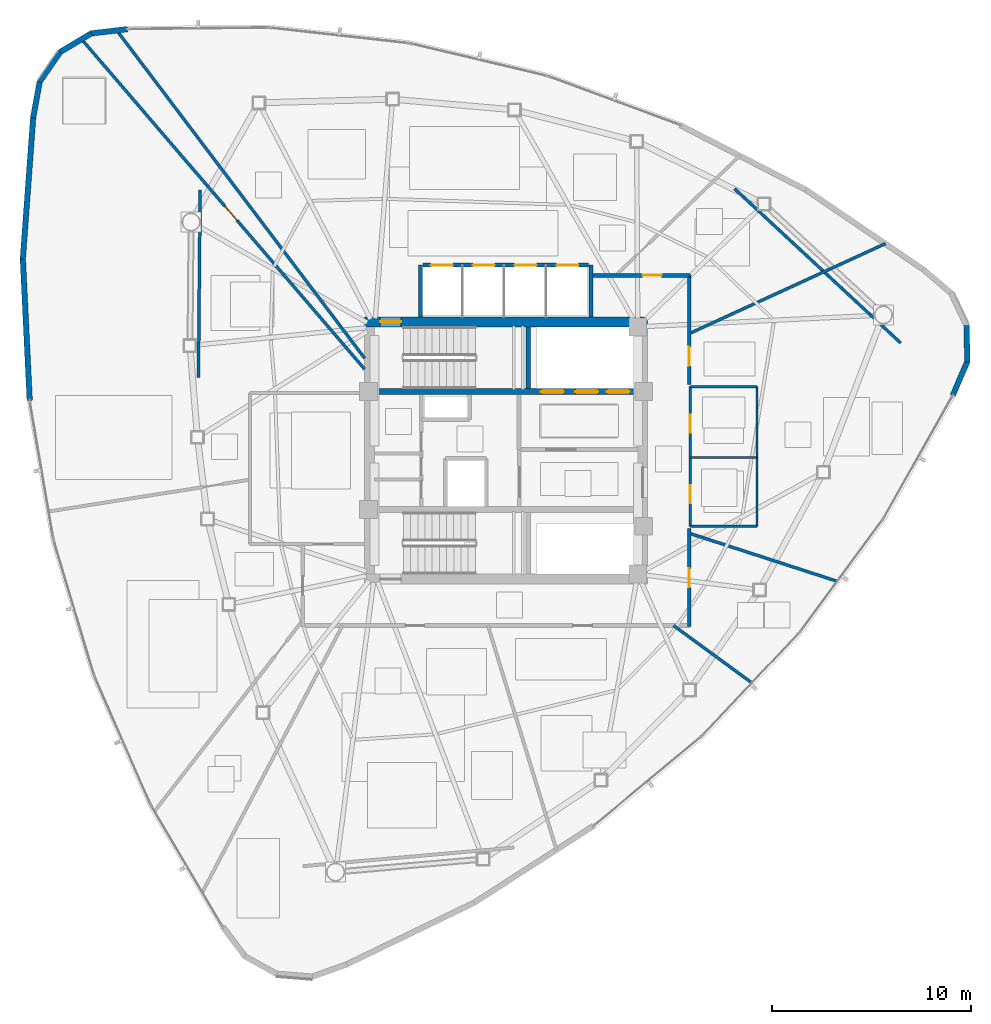
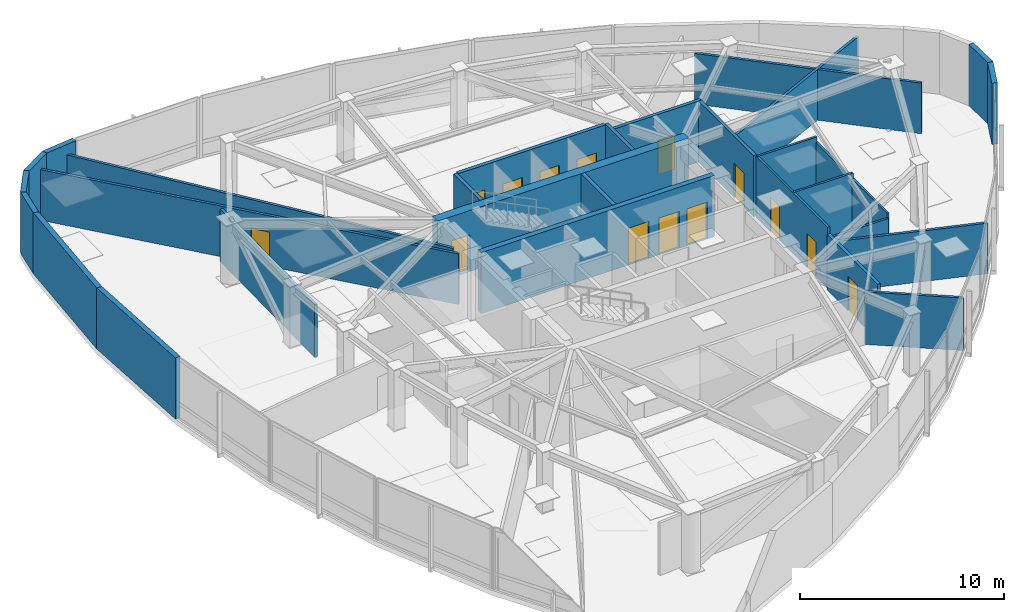
# One storey, part 11 of 15: 29 walls, 14 doors, 14 openings.
"""IFC4 building model written with IfcOpenShell, lengths in metres."""

from ifc_helpers import new_model, si_unit, direction, frame, frame_2d, origin, place, context, subcontext, project, spatial, rectangle, extrude, material, layer, layer_set, type_object, element, fill, save


model = new_model("IFC4")

# Units and contexts
model_context = context("Model", 3, precision=1e-05, world=origin(), true_north=direction((0.0, 1.0)))
body_context = subcontext(model_context, "Body", "Model", "MODEL_VIEW")
ifc_project = project(units=[si_unit("LENGTHUNIT", "METRE"), si_unit("AREAUNIT", "SQUARE_METRE"), si_unit("VOLUMEUNIT", "CUBIC_METRE"), si_unit("PLANEANGLEUNIT", "RADIAN"), si_unit("MASSUNIT", "GRAM", prefix="KILO")], contexts=[model_context])

# Site, building, storey
site_placement = place(None, origin())
site = spatial("IfcSite", under=ifc_project, at=site_placement, CompositionType="ELEMENT")
building_placement = place(site_placement, origin())
building = spatial("IfcBuilding", under=site, at=building_placement, Name="Tavelor Broadcast Tower", CompositionType="ELEMENT")
storey_placement = place(building_placement, frame((0.0, 0.0, 222.14990234375)))
storey = spatial("IfcBuildingStorey", under=building, at=storey_placement, Name="L52", CompositionType="ELEMENT", Elevation=222.14990234375)

# Wall, opening, door
ifc_material_1 = material(Name="Concrete C50/60", Category="concrete")
ifc_layer_1 = layer(ifc_material_1, 0.5)
ifc_layer_set_1 = layer_set([ifc_layer_1], Name="Concrete C50/60")
wall_type_1 = type_object("IfcWallType", Name="Core Shear Wall 500 mm", PredefinedType="SHEAR", material=ifc_layer_set_1)
wall_1_placement = place(storey_placement, frame((42.89990234375, 51.449951171875, 0.0), z_axis=(0.0, 0.0, 1.0), x_axis=(1.0, 0.0, 0.0)))
wall_1 = element("IfcWall", 1, at=wall_1_placement, inside=storey, type_object=wall_type_1, Name="L52 Central Core Shear Wall N", PredefinedType="SHEAR", context=body_context, shape_type="SweptSolid", body=[
    extrude(rectangle(XDim=14.2001953125, YDim=0.5, at=frame_2d((7.10009765625, 0.0))), origin(), (0.0, 0.0, 1.0), 3.650146484375),
])
opening_1_placement = place(wall_1_placement, frame((0.780029296875, 0.0, 0.0)))
opening_1 = element("IfcOpeningElement", 2, at=opening_1_placement, cuts=wall_1, Name="Opening DR11", PredefinedType="OPENING", context=body_context, shape_type="SweptSolid", body=[
    extrude(rectangle(XDim=1.050048828125, YDim=2.199951171875, at=frame_2d((0.52490234375, 1.10009765625))), frame((0.0, 0.260009765625, 0.0), z_axis=(0.0, -1.0, 0.0), x_axis=(1.0, 0.0, 0.0)), (0.0, 0.0, 1.0), 0.52001953125),
])
ifc_material_2 = material(Name="Steel S355", Category="steel")
door_type_1 = type_object("IfcDoorType", Name="Stair Core Fire Escape Door 1050x2200", OperationType="NOTDEFINED", PredefinedType="DOOR", material=ifc_material_2)
door_1_placement = place(opening_1_placement, origin())
door_1 = element("IfcDoor", 3, at=door_1_placement, inside=storey, type_object=door_type_1, Name="L52 Stair ST1 Protected Exit Door", OperationType="SINGLE_SWING_LEFT", OverallHeight=2.199951171875, OverallWidth=1.050048828125, PredefinedType="DOOR", context=body_context, shape_type="SweptSolid", body=[
    extrude(rectangle(XDim=1.050048828125, YDim=2.199951171875, at=frame_2d((0.52490234375, 1.10009765625))), frame((0.0, 0.02490234375, 0.0), z_axis=(0.0, -1.0, 0.0), x_axis=(1.0, 0.0, 0.0)), (0.0, 0.0, 1.0), 0.050048828125),
])
fill(opening_1, door_1)

# Wall, openings, doors
ifc_layer_2 = layer(ifc_material_1, 0.300048828125)
ifc_layer_set_2 = layer_set([ifc_layer_2], Name="Concrete C50/60")
wall_type_2 = type_object("IfcWallType", Name="Core Spine Shear Wall 300 mm C50", PredefinedType="SHEAR", material=ifc_layer_set_2)
wall_2_placement = place(storey_placement, frame((43.39990234375, 47.949951171875, 0.0), z_axis=(0.0, 0.0, 1.0), x_axis=(1.0, 0.0, 0.0)))
wall_2 = element("IfcWall", 4, at=wall_2_placement, inside=storey, type_object=wall_type_2, Name="L52 Central Core Shear Wall SP1", PredefinedType="SHEAR", context=body_context, shape_type="SweptSolid", body=[
    extrude(rectangle(XDim=13.2001953125, YDim=0.300048828125, at=frame_2d((6.60009765625, 0.0))), origin(), (0.0, 0.0, 1.0), 3.650146484375),
])
opening_2_placement = place(wall_2_placement, frame((8.344970703125, 0.0, 0.0)))
opening_2 = element("IfcOpeningElement", 5, at=opening_2_placement, cuts=wall_2, Name="Opening LD02", PredefinedType="OPENING", context=body_context, shape_type="SweptSolid", body=[
    extrude(rectangle(XDim=1.14990234375, YDim=2.199951171875, at=frame_2d((0.574951171875, 1.10009765625))), frame((0.0, 0.16015625, 0.0), z_axis=(0.0, -1.0, 0.0), x_axis=(1.0, 0.0, 0.0)), (0.0, 0.0, 1.0), 0.320068359375),
])
opening_3_placement = place(wall_2_placement, frame((10.06494140625, 0.0, 0.0)))
opening_3 = element("IfcOpeningElement", 6, at=opening_3_placement, cuts=wall_2, Name="Opening LD02", PredefinedType="OPENING", context=body_context, shape_type="SweptSolid", body=[
    extrude(rectangle(XDim=1.14990234375, YDim=2.199951171875, at=frame_2d((0.574951171875, 1.10009765625))), frame((0.0, 0.16015625, 0.0), z_axis=(0.0, -1.0, 0.0), x_axis=(1.0, 0.0, 0.0)), (0.0, 0.0, 1.0), 0.320068359375),
])
opening_4_placement = place(wall_2_placement, frame((11.64501953125, 0.0, 0.0)))
opening_4 = element("IfcOpeningElement", 7, at=opening_4_placement, cuts=wall_2, Name="Opening LD03", PredefinedType="OPENING", context=body_context, shape_type="SweptSolid", body=[
    extrude(rectangle(XDim=1.14990234375, YDim=2.199951171875, at=frame_2d((0.574951171875, 1.10009765625))), frame((0.0, 0.16015625, 0.0), z_axis=(0.0, -1.0, 0.0), x_axis=(1.0, 0.0, 0.0)), (0.0, 0.0, 1.0), 0.320068359375),
])
ifc_material_3 = material(Name="Reinforced Brushed Stainless Steel", Category="concrete")
door_type_2 = type_object("IfcDoorType", Name="Broadcast Goods Lift Sliding Landing Door 1250x2200", OperationType="NOTDEFINED", PredefinedType="DOOR", material=ifc_material_3)
door_2_placement = place(opening_4_placement, origin())
door_2 = element("IfcDoor", 8, at=door_2_placement, inside=storey, type_object=door_type_2, Name="L52 Lift SVL1 Sliding Landing Door", OperationType="SLIDING_TO_LEFT", OverallHeight=2.199951171875, OverallWidth=1.14990234375, PredefinedType="DOOR", context=body_context, shape_type="SweptSolid", body=[
    extrude(rectangle(XDim=1.14990234375, YDim=2.199951171875, at=frame_2d((0.574951171875, 1.10009765625))), frame((0.0, 0.02490234375, 0.0), z_axis=(0.0, -1.0, 0.0), x_axis=(1.0, 0.0, 0.0)), (0.0, 0.0, 1.0), 0.050048828125),
])
fill(opening_4, door_2)
ifc_material_4 = material(Name="Fire-Rated Stainless Steel", Category="steel")
door_type_3 = type_object("IfcDoorType", Name="Firefighting Lift Sliding Landing Door 1200x2200", OperationType="NOTDEFINED", PredefinedType="DOOR", material=ifc_material_4)
door_3_placement = place(opening_2_placement, origin())
door_3 = element("IfcDoor", 9, at=door_3_placement, inside=storey, type_object=door_type_3, Name="L52 Lift FFL1 Sliding Landing Door", OperationType="SLIDING_TO_LEFT", OverallHeight=2.199951171875, OverallWidth=1.14990234375, PredefinedType="DOOR", context=body_context, shape_type="SweptSolid", body=[
    extrude(rectangle(XDim=1.14990234375, YDim=2.199951171875, at=frame_2d((0.574951171875, 1.10009765625))), frame((0.0, 0.02490234375, 0.0), z_axis=(0.0, -1.0, 0.0), x_axis=(1.0, 0.0, 0.0)), (0.0, 0.0, 1.0), 0.050048828125),
])
fill(opening_2, door_3)
door_4_placement = place(opening_3_placement, origin())
door_4 = element("IfcDoor", 10, at=door_4_placement, inside=storey, type_object=door_type_3, Name="L52 Lift FFL2 Sliding Landing Door", OperationType="SLIDING_TO_LEFT", OverallHeight=2.199951171875, OverallWidth=1.14990234375, PredefinedType="DOOR", context=body_context, shape_type="SweptSolid", body=[
    extrude(rectangle(XDim=1.14990234375, YDim=2.199951171875, at=frame_2d((0.574951171875, 1.10009765625))), frame((0.0, 0.02490234375, 0.0), z_axis=(0.0, -1.0, 0.0), x_axis=(1.0, 0.0, 0.0)), (0.0, 0.0, 1.0), 0.050048828125),
])
fill(opening_3, door_4)

# Wall, opening, door
ifc_material_5 = material(Name="Calcium Silicate Fire Board 180 mm", Category="gypsum")
ifc_layer_3 = layer(ifc_material_5, 0.179931640625)
ifc_layer_set_3 = layer_set([ifc_layer_3], Name="Calcium Silicate Fire Board 180 mm")
wall_type_3 = type_object("IfcWallType", Name="Fire-Rated Corridor Partition Wall 180 mm", PredefinedType="PARTITIONING", material=ifc_layer_set_3)
wall_3_placement = place(storey_placement, frame((54.300048828125, 53.780029296875, 0.0), z_axis=(0.0, 0.0, 1.0), x_axis=(1.0, 0.0, 0.0)))
wall_3 = element("IfcWall", 11, at=wall_3_placement, inside=storey, type_object=wall_type_3, Name="L52 Corridor Compartment Wall 01", PredefinedType="PARTITIONING", context=body_context, shape_type="SweptSolid", body=[
    extrude(rectangle(XDim=4.929931640625, YDim=0.179931640625, at=frame_2d((2.46484375, 0.0))), origin(), (0.0, 0.0, 1.0), 3.650146484375),
])
opening_5_placement = place(wall_3_placement, frame((2.544921875, 0.0, 0.0)))
opening_5 = element("IfcOpeningElement", 12, at=opening_5_placement, cuts=wall_3, Name="Opening DR18", PredefinedType="OPENING", context=body_context, shape_type="SweptSolid", body=[
    extrude(rectangle(XDim=0.949951171875, YDim=2.050048828125, at=frame_2d((0.47509765625, 1.02490234375))), frame((0.0, 0.10009765625, 0.0), z_axis=(0.0, -1.0, 0.0), x_axis=(1.0, 0.0, 0.0)), (0.0, 0.0, 1.0), 0.199951171875),
])
ifc_material_6 = material(Name="Timber Solid Core Hardwood", Category="wood")
door_type_4 = type_object("IfcDoorType", Name="Corridor Rated Compartment Door 950x2050", OperationType="NOTDEFINED", PredefinedType="DOOR", material=ifc_material_6)
door_5_placement = place(opening_5_placement, origin())
door_5 = element("IfcDoor", 13, at=door_5_placement, inside=storey, type_object=door_type_4, Name="L52 Broadcast Crew Room Door R0", OperationType="SINGLE_SWING_LEFT", OverallHeight=2.050048828125, OverallWidth=0.949951171875, PredefinedType="DOOR", context=body_context, shape_type="SweptSolid", body=[
    extrude(rectangle(XDim=0.949951171875, YDim=2.050048828125, at=frame_2d((0.47509765625, 1.02490234375))), frame((0.0, 0.02490234375, 0.0), z_axis=(0.0, -1.0, 0.0), x_axis=(1.0, 0.0, 0.0)), (0.0, 0.0, 1.0), 0.050048828125),
])
fill(opening_5, door_5)

wall_4_placement = place(storey_placement, frame((59.179931640625, 53.830078125, 0.0), z_axis=(0.0, 0.0, 1.0), x_axis=(0.0, -1.0, 0.0)))
wall_4 = element("IfcWall", 14, at=wall_4_placement, inside=storey, type_object=wall_type_3, Name="L52 Corridor Compartment Wall 02", PredefinedType="PARTITIONING", context=body_context, shape_type="SweptSolid", body=[
    extrude(rectangle(XDim=5.530029296875, YDim=0.179931640625, at=frame_2d((2.76513671875, 0.0))), origin(), (0.0, 0.0, 1.0), 3.650146484375),
])
opening_6_placement = place(wall_4_placement, frame((3.63623046875, 0.0, 0.0)))
opening_6 = element("IfcOpeningElement", 15, at=opening_6_placement, cuts=wall_4, Name="Opening DR18", PredefinedType="OPENING", context=body_context, shape_type="SweptSolid", body=[
    extrude(rectangle(XDim=0.949951171875, YDim=2.050048828125, at=frame_2d((0.47509765625, 1.02490234375))), frame((0.0, 0.10009765625, 0.0), z_axis=(0.0, -1.0, 0.0), x_axis=(1.0, 0.0, 0.0)), (0.0, 0.0, 1.0), 0.199951171875),
])
door_6_placement = place(opening_6_placement, origin())
door_6 = element("IfcDoor", 16, at=door_6_placement, inside=storey, type_object=door_type_4, Name="L52 Technical Mail and Post Room Door R1", OperationType="SINGLE_SWING_RIGHT", OverallHeight=2.050048828125, OverallWidth=0.949951171875, PredefinedType="DOOR", context=body_context, shape_type="SweptSolid", body=[
    extrude(rectangle(XDim=0.949951171875, YDim=2.050048828125, at=frame_2d((0.47509765625, 1.02490234375))), frame((0.0, 0.02490234375, 0.0), z_axis=(0.0, -1.0, 0.0), x_axis=(1.0, 0.0, 0.0)), (0.0, 0.0, 1.0), 0.050048828125),
])
fill(opening_6, door_6)

wall_5_placement = place(storey_placement, frame((59.179931640625, 41.10009765625, 0.0), z_axis=(0.0, 0.0, 1.0), x_axis=(0.0, -1.0, 0.0)))
wall_5 = element("IfcWall", 17, at=wall_5_placement, inside=storey, type_object=wall_type_3, Name="L52 Corridor Compartment Wall 03", PredefinedType="PARTITIONING", context=body_context, shape_type="SweptSolid", body=[
    extrude(rectangle(XDim=4.93017578125, YDim=0.179931640625, at=frame_2d((2.465087890625, 0.0))), origin(), (0.0, 0.0, 1.0), 3.3251953125),
])
opening_7_placement = place(wall_5_placement, frame((2.0166015625, 0.0, 0.0)))
opening_7 = element("IfcOpeningElement", 18, at=opening_7_placement, cuts=wall_5, Name="Opening DR18", PredefinedType="OPENING", context=body_context, shape_type="SweptSolid", body=[
    extrude(rectangle(XDim=0.949951171875, YDim=2.050048828125, at=frame_2d((0.47509765625, 1.02490234375))), frame((0.0, 0.10009765625, 0.0), z_axis=(0.0, -1.0, 0.0), x_axis=(1.0, 0.0, 0.0)), (0.0, 0.0, 1.0), 0.199951171875),
])
door_7_placement = place(opening_7_placement, origin())
door_7 = element("IfcDoor", 19, at=door_7_placement, inside=storey, type_object=door_type_4, Name="L52 Master Control Room Door R2", OperationType="SINGLE_SWING_LEFT", OverallHeight=2.050048828125, OverallWidth=0.949951171875, PredefinedType="DOOR", context=body_context, shape_type="SweptSolid", body=[
    extrude(rectangle(XDim=0.949951171875, YDim=2.050048828125, at=frame_2d((0.47509765625, 1.02490234375))), frame((0.0, 0.02490234375, 0.0), z_axis=(0.0, -1.0, 0.0), x_axis=(1.0, 0.0, 0.0)), (0.0, 0.0, 1.0), 0.050048828125),
])
fill(opening_7, door_7)

# Walls
ifc_material_7 = material(Name="Precast Concrete C40/50", Category="concrete")
ifc_layer_4 = layer(ifc_material_7, 0.280029296875)
ifc_layer_set_4 = layer_set([ifc_layer_4], Name="Precast Concrete C40/50")
wall_type_4 = type_object("IfcWallType", Name="Insulated Precast Terracotta Facade Wall 280 mm", PredefinedType="STANDARD", material=ifc_layer_set_4)
wall_6_placement = place(storey_placement, frame((31.00390625, 66.13818359375, 0.0), z_axis=(0.0, 0.0, 1.0), x_axis=(-0.993058488842, -0.117621587046, 0.0)))
element("IfcWall", 20, at=wall_6_placement, inside=storey, type_object=wall_type_4, Name="L52 Rounded Corner Structural Cladding Pier 01", PredefinedType="STANDARD", context=body_context, shape_type="SweptSolid", body=[
    extrude(rectangle(XDim=1.8515625, YDim=0.280029296875, at=frame_2d((0.92578125, 0.0))), origin(), (0.0, 0.0, 1.0), 3.650146484375),
])
wall_7_placement = place(storey_placement, frame((29.19287109375, 65.929931640625, 0.0), z_axis=(0.0, 0.0, 1.0), x_axis=(-0.856707441175, -0.515802636903, 0.0)))
element("IfcWall", 21, at=wall_7_placement, inside=storey, type_object=wall_type_4, Name="L52 Rounded Corner Structural Cladding Pier 02", PredefinedType="STANDARD", context=body_context, shape_type="SweptSolid", body=[
    extrude(rectangle(XDim=1.83984375, YDim=0.280029296875, at=frame_2d((0.919921875, 0.0))), origin(), (0.0, 0.0, 1.0), 3.650146484375),
])
wall_8_placement = place(storey_placement, frame((27.637939453125, 65.0009765625, 0.0), z_axis=(0.0, 0.0, 1.0), x_axis=(-0.568554335076, -0.822645712361, 0.0)))
element("IfcWall", 22, at=wall_8_placement, inside=storey, type_object=wall_type_4, Name="L52 Rounded Corner Structural Cladding Pier 03", PredefinedType="STANDARD", context=body_context, shape_type="SweptSolid", body=[
    extrude(rectangle(XDim=1.840087890625, YDim=0.280029296875, at=frame_2d((0.919921875, 0.0))), origin(), (0.0, 0.0, 1.0), 3.650146484375),
])
wall_9_placement = place(storey_placement, frame((26.60302734375, 63.514404296875, 0.0), z_axis=(0.0, 0.0, 1.0), x_axis=(-0.179704335153, -0.983720667632, 0.0)))
element("IfcWall", 23, at=wall_9_placement, inside=storey, type_object=wall_type_4, Name="L52 Rounded Corner Structural Cladding Pier 04", PredefinedType="STANDARD", context=body_context, shape_type="SweptSolid", body=[
    extrude(rectangle(XDim=1.862548828125, YDim=0.280029296875, at=frame_2d((0.93115234375, 0.0))), origin(), (0.0, 0.0, 1.0), 3.650146484375),
])
wall_10_placement = place(storey_placement, frame((26.272216796875, 61.7119140625, 0.0), z_axis=(0.0, 0.0, 1.0), x_axis=(-0.072835306407, -0.997343981854, 0.0)))
element("IfcWall", 24, at=wall_10_placement, inside=storey, type_object=wall_type_4, Name="L52 Rounded Corner Structural Cladding Pier 05", PredefinedType="STANDARD", context=body_context, shape_type="SweptSolid", body=[
    extrude(rectangle(XDim=7.133056640625, YDim=0.280029296875, at=frame_2d((3.56640625, 0.0))), origin(), (0.0, 0.0, 1.0), 3.650146484375),
])
wall_11_placement = place(storey_placement, frame((25.753173828125, 54.6279296875, 0.0), z_axis=(0.0, 0.0, 1.0), x_axis=(0.04837634202, -0.998829179356, 0.0)))
element("IfcWall", 25, at=wall_11_placement, inside=storey, type_object=wall_type_4, Name="L52 Rounded Corner Structural Cladding Pier 06", PredefinedType="STANDARD", context=body_context, shape_type="SweptSolid", body=[
    extrude(rectangle(XDim=7.120849609375, YDim=0.280029296875, at=frame_2d((3.560546875, 0.0))), origin(), (0.0, 0.0, 1.0), 3.650146484375),
])
wall_12_placement = place(storey_placement, frame((72.404052734375, 47.764404296875, 0.0), z_axis=(0.0, 0.0, 1.0), x_axis=(0.394778467285, 0.91877633936, 0.0)))
element("IfcWall", 26, at=wall_12_placement, inside=storey, type_object=wall_type_4, Name="L52 Rounded Corner Structural Cladding Pier 21", PredefinedType="STANDARD", context=body_context, shape_type="SweptSolid", body=[
    extrude(rectangle(XDim=1.8515625, YDim=0.280029296875, at=frame_2d((0.92578125, 0.0))), origin(), (0.0, 0.0, 1.0), 3.650146484375),
])
wall_13_placement = place(storey_placement, frame((73.12939453125, 49.436767578125, 0.0), z_axis=(0.0, 0.0, 1.0), x_axis=(-0.018309032356, 0.999832375618, 0.0)))
element("IfcWall", 27, at=wall_13_placement, inside=storey, type_object=wall_type_4, Name="L52 Rounded Corner Structural Cladding Pier 22", PredefinedType="STANDARD", context=body_context, shape_type="SweptSolid", body=[
    extrude(rectangle(XDim=1.840087890625, YDim=0.280029296875, at=frame_2d((0.919921875, 0.0))), origin(), (0.0, 0.0, 1.0), 3.650146484375),
])
ifc_material_8 = material(Name="Gypsum Acoustic Plasterboard 150 mm", Category="gypsum")
ifc_layer_5 = layer(ifc_material_8, 0.14990234375)
ifc_layer_set_5 = layer_set([ifc_layer_5], Name="Gypsum Acoustic Plasterboard 150 mm")
wall_type_5 = type_object("IfcWallType", Name="Interior Acoustic Partition Wall 150 mm", PredefinedType="PARTITIONING", material=ifc_layer_set_5)
wall_14_placement = place(storey_placement, frame((34.651611328125, 58.0556640625, 0.0), z_axis=(0.0, 0.0, 1.0), x_axis=(-0.009553538759, -0.999954363907, 0.0)))
element("IfcWall", 28, at=wall_14_placement, inside=storey, type_object=wall_type_5, Name="L52 Corner Tube Brace Furring Wall 1", PredefinedType="PARTITIONING", context=body_context, shape_type="SweptSolid", body=[
    extrude(rectangle(XDim=9.404296875, YDim=0.14990234375, at=frame_2d((4.7021484375, 0.0))), origin(), (0.0, 0.0, 1.0), 3.135009765625),
])
wall_15_placement = place(storey_placement, frame((69.79248046875, 50.387939453125, 0.0), z_axis=(0.0, 0.0, 1.0), x_axis=(-0.732769799181, 0.680476613418, 0.0)))
element("IfcWall", 29, at=wall_15_placement, inside=storey, type_object=wall_type_5, Name="L52 Corner Tube Brace Furring Wall 3", PredefinedType="PARTITIONING", context=body_context, shape_type="SweptSolid", body=[
    extrude(rectangle(XDim=11.377685546875, YDim=0.14990234375, at=frame_2d((5.68896484375, 0.0))), origin(), (0.0, 0.0, 1.0), 3.025146484375),
])
wall_16_placement = place(storey_placement, frame((58.39501953125, 36.219970703125, 0.0), z_axis=(0.0, 0.0, 1.0), x_axis=(0.806941974178, -0.590630722456, 0.0)))
element("IfcWall", 30, at=wall_16_placement, inside=storey, type_object=wall_type_5, Name="L52 Radial Compartment Wall 02", PredefinedType="PARTITIONING", context=body_context, shape_type="SweptSolid", body=[
    extrude(rectangle(XDim=4.882568359375, YDim=0.14990234375, at=frame_2d((2.44140625, 0.0))), origin(), (0.0, 0.0, 1.0), 3.135009765625),
])
wall_17_placement = place(storey_placement, frame((59.179931640625, 40.850341796875, 0.0), z_axis=(0.0, 0.0, 1.0), x_axis=(0.951119439097, -0.308823270775, 0.0)))
element("IfcWall", 31, at=wall_17_placement, inside=storey, type_object=wall_type_5, Name="L52 Radial Compartment Wall 03", PredefinedType="PARTITIONING", context=body_context, shape_type="SweptSolid", body=[
    extrude(rectangle(XDim=7.814697265625, YDim=0.14990234375, at=frame_2d((3.9072265625, 0.0))), origin(), (0.0, 0.0, 1.0), 3.025146484375),
])
wall_18_placement = place(storey_placement, frame((59.179931640625, 50.862060546875, 0.0), z_axis=(0.0, 0.0, 1.0), x_axis=(0.908933957831, 0.416940115966, 0.0)))
element("IfcWall", 32, at=wall_18_placement, inside=storey, type_object=wall_type_5, Name="L52 Radial Compartment Wall 04", PredefinedType="PARTITIONING", context=body_context, shape_type="SweptSolid", body=[
    extrude(rectangle(XDim=10.838623046875, YDim=0.14990234375, at=frame_2d((5.41943359375, 0.0))), origin(), (0.0, 0.0, 1.0), 3.025146484375),
])
wall_19_placement = place(storey_placement, frame((42.89990234375, 49.62890625, 0.0), z_axis=(0.0, 0.0, 1.0), x_axis=(-0.603127375297, 0.797644889138, 0.0)))
element("IfcWall", 33, at=wall_19_placement, inside=storey, type_object=wall_type_5, Name="L52 Radial Compartment Wall 06", PredefinedType="PARTITIONING", context=body_context, shape_type="SweptSolid", body=[
    extrude(rectangle(XDim=20.62890625, YDim=0.14990234375, at=frame_2d((10.314453125, 0.0))), origin(), (0.0, 0.0, 1.0), 3.025146484375),
])

# Wall, opening, door
wall_20_placement = place(storey_placement, frame((42.89990234375, 49.080078125, 0.0), z_axis=(0.0, 0.0, 1.0), x_axis=(-0.651097245438, 0.758994319467, 0.0)))
wall_20 = element("IfcWall", 34, at=wall_20_placement, inside=storey, type_object=wall_type_5, Name="L52 Radial Compartment Wall 07", PredefinedType="PARTITIONING", context=body_context, shape_type="SweptSolid", body=[
    extrude(rectangle(XDim=21.8193359375, YDim=0.14990234375, at=frame_2d((10.90966796875, 0.0))), origin(), (0.0, 0.0, 1.0), 3.025146484375),
])
opening_8_placement = place(wall_20_placement, frame((9.81884765625, 0.0, 0.0)))
opening_8 = element("IfcOpeningElement", 35, at=opening_8_placement, cuts=wall_20, Name="Opening DR18", PredefinedType="OPENING", context=body_context, shape_type="SweptSolid", body=[
    extrude(rectangle(XDim=0.949951171875, YDim=2.050048828125, at=frame_2d((0.47509765625, 1.02490234375))), frame((0.0, 0.0849609375, 0.0), z_axis=(0.0, -1.0, 0.0), x_axis=(1.0, 0.0, 0.0)), (0.0, 0.0, 1.0), 0.169921875),
])
door_8_placement = place(opening_8_placement, origin())
door_8 = element("IfcDoor", 36, at=door_8_placement, inside=storey, type_object=door_type_4, Name="L52 Suite Connecting Door 8", OperationType="SINGLE_SWING_RIGHT", OverallHeight=2.050048828125, OverallWidth=0.949951171875, PredefinedType="DOOR", context=body_context, shape_type="SweptSolid", body=[
    extrude(rectangle(XDim=0.949951171875, YDim=2.050048828125, at=frame_2d((0.47509765625, 1.02490234375))), frame((0.0, 0.02490234375, 0.0), z_axis=(0.0, -1.0, 0.0), x_axis=(1.0, 0.0, 0.0)), (0.0, 0.0, 1.0), 0.050048828125),
])
fill(opening_8, door_8)

# Wall, openings, doors
ifc_material_9 = material(Name="Concrete Blockwork 200 mm", Category="masonry")
ifc_layer_6 = layer(ifc_material_9, 0.199951171875)
ifc_layer_set_6 = layer_set([ifc_layer_6], Name="Concrete Blockwork 200 mm")
wall_type_6 = type_object("IfcWallType", Name="Lift Hoistway Rated Front Wall 200 mm", PredefinedType="PARTITIONING", material=ifc_layer_set_6)
wall_21_placement = place(storey_placement, frame((45.820068359375, 54.300048828125, 0.0), z_axis=(0.0, 0.0, 1.0), x_axis=(1.0, 0.0, 0.0)))
wall_21 = element("IfcWall", 37, at=wall_21_placement, inside=storey, type_object=wall_type_6, Name="L52 High-Rise Lift Hoistway Front Wall", PredefinedType="PARTITIONING", context=body_context, shape_type="SweptSolid", body=[
    extrude(rectangle(XDim=8.309814453125, YDim=0.199951171875, at=frame_2d((4.15478515625, 0.0))), origin(), (0.0, 0.0, 1.0), 3.650146484375),
])
opening_9_placement = place(wall_21_placement, frame((0.405029296875, 0.0, 0.0)))
opening_9 = element("IfcOpeningElement", 38, at=opening_9_placement, cuts=wall_21, Name="Opening LD01", PredefinedType="OPENING", context=body_context, shape_type="SweptSolid", body=[
    extrude(rectangle(XDim=1.10009765625, YDim=2.14990234375, at=frame_2d((0.550048828125, 1.074951171875))), frame((0.0, 0.10986328125, 0.0), z_axis=(0.0, -1.0, 0.0), x_axis=(1.0, 0.0, 0.0)), (0.0, 0.0, 1.0), 0.219970703125),
])
opening_10_placement = place(wall_21_placement, frame((2.5048828125, 0.0, 0.0)))
opening_10 = element("IfcOpeningElement", 39, at=opening_10_placement, cuts=wall_21, Name="Opening LD01", PredefinedType="OPENING", context=body_context, shape_type="SweptSolid", body=[
    extrude(rectangle(XDim=1.10009765625, YDim=2.14990234375, at=frame_2d((0.550048828125, 1.074951171875))), frame((0.0, 0.10986328125, 0.0), z_axis=(0.0, -1.0, 0.0), x_axis=(1.0, 0.0, 0.0)), (0.0, 0.0, 1.0), 0.219970703125),
])
opening_11_placement = place(wall_21_placement, frame((4.60498046875, 0.0, 0.0)))
opening_11 = element("IfcOpeningElement", 40, at=opening_11_placement, cuts=wall_21, Name="Opening LD01", PredefinedType="OPENING", context=body_context, shape_type="SweptSolid", body=[
    extrude(rectangle(XDim=1.10009765625, YDim=2.14990234375, at=frame_2d((0.550048828125, 1.074951171875))), frame((0.0, 0.10986328125, 0.0), z_axis=(0.0, -1.0, 0.0), x_axis=(1.0, 0.0, 0.0)), (0.0, 0.0, 1.0), 0.219970703125),
])
opening_12_placement = place(wall_21_placement, frame((6.705078125, 0.0, 0.0)))
opening_12 = element("IfcOpeningElement", 41, at=opening_12_placement, cuts=wall_21, Name="Opening LD01", PredefinedType="OPENING", context=body_context, shape_type="SweptSolid", body=[
    extrude(rectangle(XDim=1.10009765625, YDim=2.14990234375, at=frame_2d((0.550048828125, 1.074951171875))), frame((0.0, 0.10986328125, 0.0), z_axis=(0.0, -1.0, 0.0), x_axis=(1.0, 0.0, 0.0)), (0.0, 0.0, 1.0), 0.219970703125),
])
ifc_material_10 = material(Name="Brushed Stainless Steel", Category="steel")
door_type_5 = type_object("IfcDoorType", Name="Passenger Lift Sliding Landing Door 1100x2150", OperationType="NOTDEFINED", PredefinedType="DOOR", material=ifc_material_10)
door_9_placement = place(opening_9_placement, origin())
door_9 = element("IfcDoor", 42, at=door_9_placement, inside=storey, type_object=door_type_5, Name="L52 Lift PLH1 Sliding Landing Door", OperationType="SLIDING_TO_LEFT", OverallHeight=2.14990234375, OverallWidth=1.10009765625, PredefinedType="DOOR", context=body_context, shape_type="SweptSolid", body=[
    extrude(rectangle(XDim=1.10009765625, YDim=2.14990234375, at=frame_2d((0.550048828125, 1.074951171875))), frame((0.0, 0.02490234375, 0.0), z_axis=(0.0, -1.0, 0.0), x_axis=(1.0, 0.0, 0.0)), (0.0, 0.0, 1.0), 0.050048828125),
])
fill(opening_9, door_9)
door_10_placement = place(opening_10_placement, origin())
door_10 = element("IfcDoor", 43, at=door_10_placement, inside=storey, type_object=door_type_5, Name="L52 Lift PLH2 Sliding Landing Door", OperationType="SLIDING_TO_RIGHT", OverallHeight=2.14990234375, OverallWidth=1.10009765625, PredefinedType="DOOR", context=body_context, shape_type="SweptSolid", body=[
    extrude(rectangle(XDim=1.10009765625, YDim=2.14990234375, at=frame_2d((0.550048828125, 1.074951171875))), frame((0.0, 0.02490234375, 0.0), z_axis=(0.0, -1.0, 0.0), x_axis=(1.0, 0.0, 0.0)), (0.0, 0.0, 1.0), 0.050048828125),
])
fill(opening_10, door_10)
door_11_placement = place(opening_11_placement, origin())
door_11 = element("IfcDoor", 44, at=door_11_placement, inside=storey, type_object=door_type_5, Name="L52 Lift PLH3 Sliding Landing Door", OperationType="SLIDING_TO_LEFT", OverallHeight=2.14990234375, OverallWidth=1.10009765625, PredefinedType="DOOR", context=body_context, shape_type="SweptSolid", body=[
    extrude(rectangle(XDim=1.10009765625, YDim=2.14990234375, at=frame_2d((0.550048828125, 1.074951171875))), frame((0.0, 0.02490234375, 0.0), z_axis=(0.0, -1.0, 0.0), x_axis=(1.0, 0.0, 0.0)), (0.0, 0.0, 1.0), 0.050048828125),
])
fill(opening_11, door_11)
door_12_placement = place(opening_12_placement, origin())
door_12 = element("IfcDoor", 45, at=door_12_placement, inside=storey, type_object=door_type_5, Name="L52 Lift PLH4 Sliding Landing Door", OperationType="SLIDING_TO_RIGHT", OverallHeight=2.14990234375, OverallWidth=1.10009765625, PredefinedType="DOOR", context=body_context, shape_type="SweptSolid", body=[
    extrude(rectangle(XDim=1.10009765625, YDim=2.14990234375, at=frame_2d((0.550048828125, 1.074951171875))), frame((0.0, 0.02490234375, 0.0), z_axis=(0.0, -1.0, 0.0), x_axis=(1.0, 0.0, 0.0)), (0.0, 0.0, 1.0), 0.050048828125),
])
fill(opening_12, door_12)

# Walls
ifc_layer_7 = layer(ifc_material_9, 0.199951171875)
ifc_layer_set_7 = layer_set([ifc_layer_7], Name="Concrete Blockwork 200 mm")
wall_type_7 = type_object("IfcWallType", Name="Lift and Riser Shaft Enclosure Wall 200 mm", PredefinedType="PARTITIONING", material=ifc_layer_set_7)
for number, where, z_axis, x_axis, name in (
    (46, (45.699951171875, 51.699951171875, 0.0), (0.0, 0.0, 1.0), (0.0, 1.0, 0.0), "L52 High-Rise Lift Shaft West Wall"),
    (47, (54.25, 51.699951171875, 0.0), (0.0, 0.0, 1.0), (0.0, 1.0, 0.0), "L52 High-Rise Lift Shaft East Wall"),
):
    element("IfcWall", number, at=place(storey_placement, frame(where, z_axis=z_axis, x_axis=x_axis)), inside=storey, type_object=wall_type_7, Name=name, PredefinedType="PARTITIONING", context=body_context, shape_type="SweptSolid", body=[
        extrude(rectangle(XDim=2.60009765625, YDim=0.199951171875, at=frame_2d((1.300048828125, 0.0))), origin(), (0.0, 0.0, 1.0), 3.650146484375),
    ])

# Wall, openings, doors
ifc_material_11 = material(Name="Moisture-Resistant Plasterboard 120 mm", Category="gypsum")
ifc_layer_8 = layer(ifc_material_11, 0.1201171875)
ifc_layer_set_8 = layer_set([ifc_layer_8], Name="Moisture-Resistant Plasterboard 120 mm")
wall_type_8 = type_object("IfcWallType", Name="Moisture-Resistant Wet-Room Partition 120 mm", PredefinedType="PARTITIONING", material=ifc_layer_set_8)
wall_22_placement = place(storey_placement, frame((59.239990234375, 41.199951171875, 0.0), z_axis=(0.0, 0.0, 1.0), x_axis=(0.0, 1.0, 0.0)))
wall_22 = element("IfcWall", 48, at=wall_22_placement, inside=storey, type_object=wall_type_8, Name="L52 Floor Washrooms West Wall", PredefinedType="PARTITIONING", context=body_context, shape_type="SweptSolid", body=[
    extrude(rectangle(XDim=7.0, YDim=0.1201171875, at=frame_2d((3.5, 0.0))), origin(), (0.0, 0.0, 1.0), 3.650146484375),
])
opening_13_placement = place(wall_22_placement, frame((1.14990234375, 0.0, 0.0)))
opening_13 = element("IfcOpeningElement", 49, at=opening_13_placement, cuts=wall_22, Name="Opening DR32", PredefinedType="OPENING", context=body_context, shape_type="SweptSolid", body=[
    extrude(rectangle(XDim=0.89990234375, YDim=2.050048828125, at=frame_2d((0.449951171875, 1.02490234375))), frame((0.0, 0.070068359375, 0.0), z_axis=(0.0, -1.0, 0.0), x_axis=(1.0, 0.0, 0.0)), (0.0, 0.0, 1.0), 0.14013671875),
])
opening_14_placement = place(wall_22_placement, frame((4.699951171875, 0.0, 0.0)))
opening_14 = element("IfcOpeningElement", 50, at=opening_14_placement, cuts=wall_22, Name="Opening DR32", PredefinedType="OPENING", context=body_context, shape_type="SweptSolid", body=[
    extrude(rectangle(XDim=0.89990234375, YDim=2.050048828125, at=frame_2d((0.449951171875, 1.02490234375))), frame((0.0, 0.070068359375, 0.0), z_axis=(0.0, -1.0, 0.0), x_axis=(1.0, 0.0, 0.0)), (0.0, 0.0, 1.0), 0.14013671875),
])
door_type_6 = type_object("IfcDoorType", Name="Accessible Washroom Door 900x2050", OperationType="NOTDEFINED", PredefinedType="DOOR", material=ifc_material_6)
door_13_placement = place(opening_13_placement, origin())
door_13 = element("IfcDoor", 51, at=door_13_placement, inside=storey, type_object=door_type_6, Name="L52 Accessible WC Door", OperationType="SINGLE_SWING_LEFT", OverallHeight=2.050048828125, OverallWidth=0.89990234375, PredefinedType="DOOR", context=body_context, shape_type="SweptSolid", body=[
    extrude(rectangle(XDim=0.89990234375, YDim=2.050048828125, at=frame_2d((0.449951171875, 1.02490234375))), frame((0.0, 0.02490234375, 0.0), z_axis=(0.0, -1.0, 0.0), x_axis=(1.0, 0.0, 0.0)), (0.0, 0.0, 1.0), 0.050048828125),
])
fill(opening_13, door_13)
door_14_placement = place(opening_14_placement, origin())
door_14 = element("IfcDoor", 52, at=door_14_placement, inside=storey, type_object=door_type_6, Name="L52 Staff Washroom WC Door", OperationType="SINGLE_SWING_RIGHT", OverallHeight=2.050048828125, OverallWidth=0.89990234375, PredefinedType="DOOR", context=body_context, shape_type="SweptSolid", body=[
    extrude(rectangle(XDim=0.89990234375, YDim=2.050048828125, at=frame_2d((0.449951171875, 1.02490234375))), frame((0.0, 0.02490234375, 0.0), z_axis=(0.0, -1.0, 0.0), x_axis=(1.0, 0.0, 0.0)), (0.0, 0.0, 1.0), 0.050048828125),
])
fill(opening_14, door_14)

# Walls
wall_23_placement = place(storey_placement, frame((59.239990234375, 41.199951171875, 0.0), z_axis=(0.0, 0.0, 1.0), x_axis=(1.0, 0.0, 0.0)))
element("IfcWall", 53, at=wall_23_placement, inside=storey, type_object=wall_type_8, Name="L52 Floor Washrooms South Wall", PredefinedType="PARTITIONING", context=body_context, shape_type="SweptSolid", body=[
    extrude(rectangle(XDim=3.340087890625, YDim=0.1201171875, at=frame_2d((1.669921875, 0.0))), origin(), (0.0, 0.0, 1.0), 3.025146484375),
])
for number, where, z_axis, x_axis, name in (
    (54, (59.239990234375, 44.64990234375, 0.0), (0.0, 0.0, 1.0), (1.0, 0.0, 0.0), "L52 Floor Washrooms Divider Wall"),
    (55, (59.239990234375, 48.199951171875, 0.0), (0.0, 0.0, 1.0), (1.0, 0.0, 0.0), "L52 Floor Washrooms North Wall"),
):
    element("IfcWall", number, at=place(storey_placement, frame(where, z_axis=z_axis, x_axis=x_axis)), inside=storey, type_object=wall_type_8, Name=name, PredefinedType="PARTITIONING", context=body_context, shape_type="SweptSolid", body=[
        extrude(rectangle(XDim=3.340087890625, YDim=0.1201171875, at=frame_2d((1.669921875, 0.0))), origin(), (0.0, 0.0, 1.0), 3.650146484375),
    ])
wall_24_placement = place(storey_placement, frame((62.580078125, 41.199951171875, 0.0), z_axis=(0.0, 0.0, 1.0), x_axis=(0.0, 1.0, 0.0)))
element("IfcWall", 56, at=wall_24_placement, inside=storey, type_object=wall_type_8, Name="L52 Floor Washrooms East Wall", PredefinedType="PARTITIONING", context=body_context, shape_type="SweptSolid", body=[
    extrude(rectangle(XDim=7.0, YDim=0.1201171875, at=frame_2d((3.5, 0.0))), origin(), (0.0, 0.0, 1.0), 3.3251953125),
])
ifc_material_12 = material(Name="Concrete C40/50", Category="concrete")
ifc_layer_9 = layer(ifc_material_12, 0.219970703125)
ifc_layer_set_9 = layer_set([ifc_layer_9], Name="Concrete C40/50")
wall_type_9 = type_object("IfcWallType", Name="Structural Stairwell Shear Wall 220 mm", PredefinedType="SHEAR", material=ifc_layer_set_9)
wall_25_placement = place(storey_placement, frame((51.110107421875, 48.10009765625, 0.0), z_axis=(0.0, 0.0, 1.0), x_axis=(0.0, 1.0, 0.0)))
element("IfcWall", 57, at=wall_25_placement, inside=storey, type_object=wall_type_9, Name="L52 Stair ST1 Structural Shaft Wall", PredefinedType="SHEAR", context=body_context, shape_type="SweptSolid", body=[
    extrude(rectangle(XDim=3.099853515625, YDim=0.219970703125, at=frame_2d((1.5498046875, 0.0))), origin(), (0.0, 0.0, 1.0), 3.650146484375),
])

save(model, "model.ifc")
